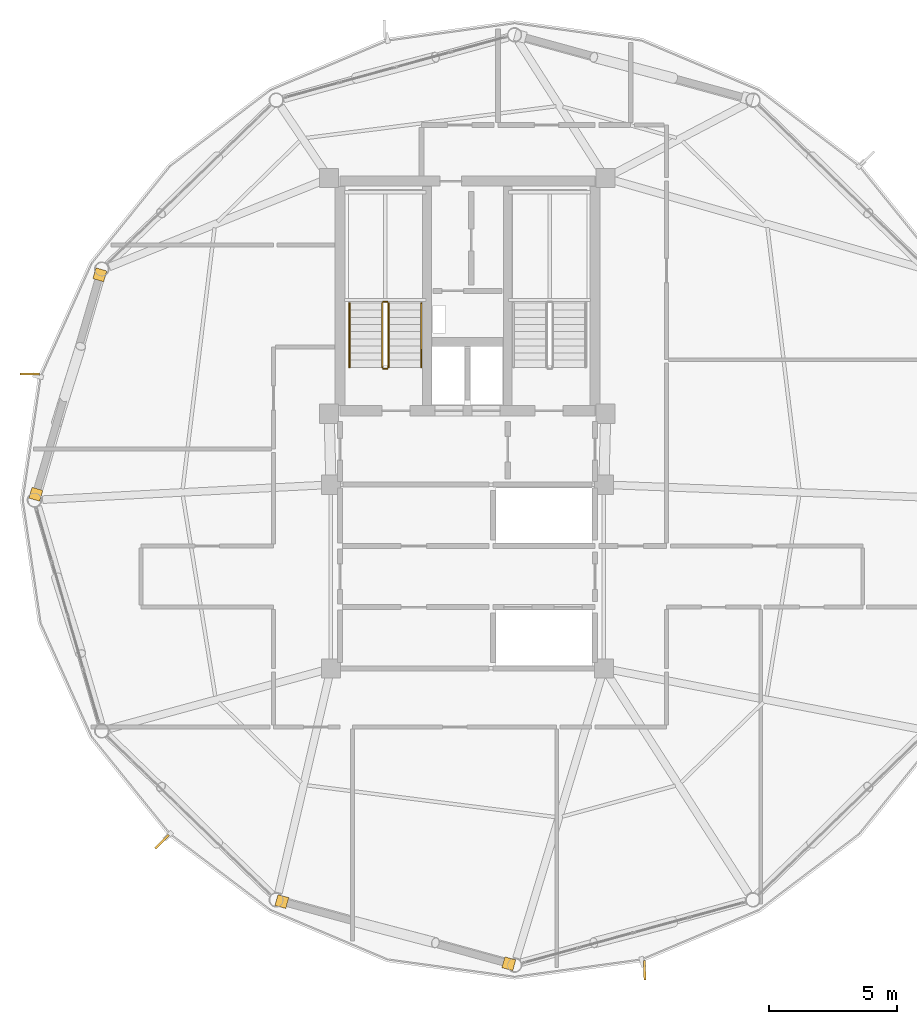
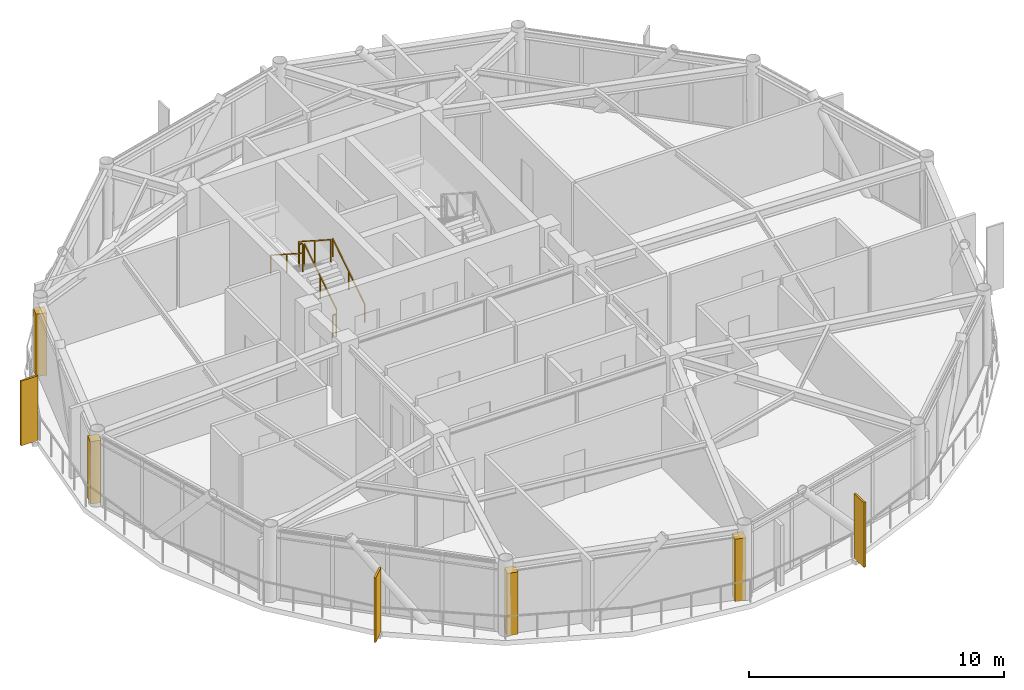
# One storey, part 25 of 27: 6 railings, 4 coverings, 3 shading devices.
"""IFC4 building model written with IfcOpenShell, lengths in metres."""

from ifc_helpers import new_model, si_unit, direction, frame, origin, origin_2d, place, context, subcontext, project, spatial, rectangle, extrude, source, transform, mapped, material, layer, layer_set, type_object, type_shapes, element, save


model = new_model("IFC4")

# Units and contexts
model_context = context("Model", 3, precision=1e-05, world=origin(), true_north=direction((0.0, 1.0)))
body_context = subcontext(model_context, "Body", "Model", "MODEL_VIEW")
ifc_project = project(units=[si_unit("LENGTHUNIT", "METRE"), si_unit("AREAUNIT", "SQUARE_METRE"), si_unit("VOLUMEUNIT", "CUBIC_METRE"), si_unit("PLANEANGLEUNIT", "RADIAN"), si_unit("MASSUNIT", "GRAM", prefix="KILO")], contexts=[model_context])

# Site, building, storey
site_placement = place(None, origin())
site = spatial("IfcSite", under=ifc_project, at=site_placement, CompositionType="ELEMENT")
building_placement = place(site_placement, origin())
building = spatial("IfcBuilding", under=site, at=building_placement, Name="Varnakorn Sky Granary", CompositionType="ELEMENT")
storey_placement = place(building_placement, frame((0.0, 0.0, 229.199951171875)))
storey = spatial("IfcBuildingStorey", under=building, at=storey_placement, Name="L58", CompositionType="ELEMENT", Elevation=229.199951171875)

# Railings
ifc_material_1 = material(Name="Brushed Stainless Steel 316", Category="steel")
railing_type_1 = type_object("IfcRailingType", Name="RL-STAIR-1100", PredefinedType="GUARDRAIL", material=ifc_material_1)
railing_1_placement = place(storey_placement, frame((-0.090087890625, 5.199951171875, 0.179931640625)))
element("IfcRailing", 1, at=railing_1_placement, inside=storey, type_object=railing_type_1, Name="L58 ST-1 stair guard 1", PredefinedType="GUARDRAIL", context=body_context, shape_type="SweptSolid", body=[
    extrude(rectangle(XDim=0.048095703125, YDim=0.048095703125, at=origin_2d()), frame((0.0, 0.0, 1.076171875), z_axis=(0.0, 0.841162588446, 0.540782303519), x_axis=(-1.0, 0.0, 0.0)), (0.0, 0.0, 1.0), 2.995849609375),
    extrude(rectangle(XDim=0.0419921875, YDim=0.0419921875, at=origin_2d()), origin(), (0.0, 0.0, 1.0), 1.048095703125),
    extrude(rectangle(XDim=0.0419921875, YDim=0.0419921875, at=origin_2d()), frame((0.0, 1.260009765625, 0.81005859375)), (0.0, 0.0, 1.0), 1.048095703125),
    extrude(rectangle(XDim=0.0419921875, YDim=0.0419921875, at=origin_2d()), frame((0.0, 2.52001953125, 1.6201171875)), (0.0, 0.0, 1.0), 1.048095703125),
])
railing_2_placement = place(storey_placement, frame((-0.139892578125, 7.77001953125, 1.800048828125)))
element("IfcRailing", 2, at=railing_2_placement, inside=storey, type_object=railing_type_1, Name="L58 ST-1 stair guard 2", PredefinedType="GUARDRAIL", context=body_context, shape_type="SweptSolid", body=[
    extrude(rectangle(XDim=0.048095703125, YDim=0.048095703125, at=origin_2d()), frame((0.0, 0.0, 1.076171875), z_axis=(-1.0, 0.0, 0.0), x_axis=(0.0, -1.0, 0.0)), (0.0, 0.0, 1.0), 0.150146484375),
    extrude(rectangle(XDim=0.0419921875, YDim=0.0419921875, at=origin_2d()), origin(), (0.0, 0.0, 1.0), 1.048095703125),
    extrude(rectangle(XDim=0.0419921875, YDim=0.0419921875, at=origin_2d()), frame((-0.150146484375, 0.0, 0.0)), (0.0, 0.0, 1.0), 1.048095703125),
])
railing_3_placement = place(storey_placement, frame((-0.340087890625, 7.719970703125, 1.97998046875)))
element("IfcRailing", 3, at=railing_3_placement, inside=storey, type_object=railing_type_1, Name="L58 ST-1 stair guard 3", PredefinedType="GUARDRAIL", context=body_context, shape_type="SweptSolid", body=[
    extrude(rectangle(XDim=0.048095703125, YDim=0.048095703125, at=origin_2d()), frame((0.0, 0.0, 1.076171875), z_axis=(0.0, -0.841162588446, 0.540782303519), x_axis=(1.0, 0.0, 0.0)), (0.0, 0.0, 1.0), 2.995849609375),
    extrude(rectangle(XDim=0.0419921875, YDim=0.0419921875, at=origin_2d()), origin(), (0.0, 0.0, 1.0), 1.048095703125),
    extrude(rectangle(XDim=0.0419921875, YDim=0.0419921875, at=origin_2d()), frame((0.0, -1.260009765625, 0.81005859375)), (0.0, 0.0, 1.0), 1.048095703125),
    extrude(rectangle(XDim=0.0419921875, YDim=0.0419921875, at=origin_2d()), frame((0.0, -2.52001953125, 1.6201171875)), (0.0, 0.0, 1.0), 1.048095703125),
])
railing_4_placement = place(storey_placement, frame((-0.139892578125, 5.14990234375, 0.0)))
element("IfcRailing", 4, at=railing_4_placement, inside=storey, type_object=railing_type_1, Name="L58 ST-1 stair guard 4", PredefinedType="GUARDRAIL", context=body_context, shape_type="SweptSolid", body=[
    extrude(rectangle(XDim=0.048095703125, YDim=0.048095703125, at=origin_2d()), frame((0.0, 0.0, 1.076171875), z_axis=(-1.0, 0.0, 0.0), x_axis=(0.0, -1.0, 0.0)), (0.0, 0.0, 1.0), 0.150146484375),
    extrude(rectangle(XDim=0.0419921875, YDim=0.0419921875, at=origin_2d()), origin(), (0.0, 0.0, 1.0), 1.048095703125),
    extrude(rectangle(XDim=0.0419921875, YDim=0.0419921875, at=origin_2d()), frame((-0.150146484375, 0.0, 0.0)), (0.0, 0.0, 1.0), 1.048095703125),
])
railing_type_2 = type_object("IfcRailingType", Name="RL-STAIR-920", PredefinedType="HANDRAIL", material=ifc_material_1)
railing_5_placement = place(storey_placement, frame((1.18994140625, 5.199951171875, 0.179931640625)))
element("IfcRailing", 5, at=railing_5_placement, inside=storey, type_object=railing_type_2, Name="L58 ST-1 stair handrail 1", PredefinedType="HANDRAIL", context=body_context, shape_type="SweptSolid", body=[
    extrude(rectangle(XDim=0.048095703125, YDim=0.048095703125, at=origin_2d()), frame((0.0, 0.0, 0.8759765625), z_axis=(0.0, 0.841162588446, 0.540782303519), x_axis=(-1.0, 0.0, 0.0)), (0.0, 0.0, 1.0), 2.995849609375),
    extrude(rectangle(XDim=0.0419921875, YDim=0.0419921875, at=origin_2d()), origin(), (0.0, 0.0, 1.0), 0.847900390625),
    extrude(rectangle(XDim=0.0419921875, YDim=0.0419921875, at=origin_2d()), frame((0.0, 1.260009765625, 0.81005859375)), (0.0, 0.0, 1.0), 0.847900390625),
    extrude(rectangle(XDim=0.0419921875, YDim=0.0419921875, at=origin_2d()), frame((0.0, 2.52001953125, 1.6201171875)), (0.0, 0.0, 1.0), 0.847900390625),
])
railing_6_placement = place(storey_placement, frame((-1.6201171875, 7.719970703125, 1.97998046875)))
element("IfcRailing", 6, at=railing_6_placement, inside=storey, type_object=railing_type_2, Name="L58 ST-1 stair handrail 2", PredefinedType="HANDRAIL", context=body_context, shape_type="SweptSolid", body=[
    extrude(rectangle(XDim=0.048095703125, YDim=0.048095703125, at=origin_2d()), frame((0.0, 0.0, 0.8759765625), z_axis=(0.0, -0.841162588446, 0.540782303519), x_axis=(1.0, 0.0, 0.0)), (0.0, 0.0, 1.0), 2.995849609375),
    extrude(rectangle(XDim=0.0419921875, YDim=0.0419921875, at=origin_2d()), origin(), (0.0, 0.0, 1.0), 0.847900390625),
    extrude(rectangle(XDim=0.0419921875, YDim=0.0419921875, at=origin_2d()), frame((0.0, -1.260009765625, 0.81005859375)), (0.0, 0.0, 1.0), 0.847900390625),
    extrude(rectangle(XDim=0.0419921875, YDim=0.0419921875, at=origin_2d()), frame((0.0, -2.52001953125, 1.6201171875)), (0.0, 0.0, 1.0), 0.847900390625),
])

# Coverings
ifc_material_2 = material(Name="Anodised Bronze Aluminium Alloy 6063-T6", Category="aluminium")
ifc_layer = layer(ifc_material_2, 0.050048828125, Name="Anodised Bronze Aluminium Alloy 6063-T6")
ifc_layer_set = layer_set([ifc_layer], Name="Anodised Bronze Aluminium Alloy 6063-T6")
covering_type = type_object("IfcCoveringType", Name="CV-CLAD-50", PredefinedType="CLADDING", material=ifc_layer_set)
shared_shape_1 = source(origin(), body_context, "Body", "SweptSolid", [
    extrude(rectangle(XDim=0.43994140625, YDim=0.43994140625, at=origin_2d()), origin(), (0.0, 0.0, 1.0), 2.989990234375),
])
type_shapes(covering_type, [shared_shape_1])
for number, where, z_axis, x_axis, name in (
    (7, (-13.918212890625, 0.22509765625, -0.02001953125), (0.0, 0.0, 1.0), (0.279996570078, 0.960001000387, 0.0), "Bronze Corner Pilaster Closure L58-P06-A"),
    (8, (-11.409423828125, 8.828369140625, -0.02001953125), (0.0, 0.0, 1.0), (0.279996570078, 0.960001000387, 0.0), "Bronze Corner Pilaster Closure L58-P06-B"),
    (9, (4.623779296875, -18.18017578125, -0.02001953125), (0.0, 0.0, 1.0), (-0.964465250625, 0.264209727938, 0.0), "Bronze Corner Pilaster Closure L58-P09-A"),
    (10, (-4.273193359375, -15.742919921875, -0.02001953125), (0.0, 0.0, 1.0), (-0.964465250625, 0.264209727938, 0.0), "Bronze Corner Pilaster Closure L58-P09-B"),
):
    element("IfcCovering", number, at=place(storey_placement, frame(where, z_axis=z_axis, x_axis=x_axis)), inside=storey, type_object=covering_type, Name=name, PredefinedType="CLADDING", context=body_context, shape_type="MappedRepresentation", body=[
        mapped(shared_shape_1, transform((0.0, 0.0, 0.0), x_axis=(1.0, 0.0, 0.0), y_axis=(0.0, 1.0, 0.0), z_axis=(0.0, 0.0, 1.0), scale=1.0)),
    ])

# Shading devices
shading_device_type = type_object("IfcShadingDeviceType", Name="SH-FIN-03", PredefinedType="USERDEFINED", material=ifc_material_2)
shared_shape_2 = source(origin(), body_context, "Body", "SweptSolid", [
    extrude(rectangle(XDim=0.0849609375, YDim=0.760009765625, at=origin_2d()), origin(), (0.0, 0.0, 1.0), 3.10009765625),
])
type_shapes(shading_device_type, [shared_shape_2])
for number, where, z_axis, x_axis, name in (
    (11, (-14.1591796875, 4.9365234375, -0.0400390625), (0.0, 0.0, 1.0), (-0.010115894457, -0.999948833031, 0.0), "Bronze Solar-Tracking Vertical Blade FIN L58-06"),
    (12, (-8.974853515625, -13.39599609375, -0.0400390625), (0.0, 0.0, 1.0), (0.702170791585, -0.71200855293, 0.0), "Bronze Solar-Tracking Vertical Blade FIN L58-08"),
    (13, (9.94677734375, -18.435791015625, -0.0400390625), (0.0, 0.0, 1.0), (0.999546145264, 0.030124798544, 0.0), "Bronze Solar-Tracking Vertical Blade FIN L58-10"),
):
    element("IfcShadingDevice", number, at=place(storey_placement, frame(where, z_axis=z_axis, x_axis=x_axis)), inside=storey, type_object=shading_device_type, Name=name, ObjectType="FIN", PredefinedType="USERDEFINED", context=body_context, shape_type="MappedRepresentation", body=[
        mapped(shared_shape_2, transform((0.0, 0.0, 0.0), x_axis=(1.0, 0.0, 0.0), y_axis=(0.0, 1.0, 0.0), z_axis=(0.0, 0.0, 1.0), scale=1.0)),
    ])

save(model, "model.ifc")
